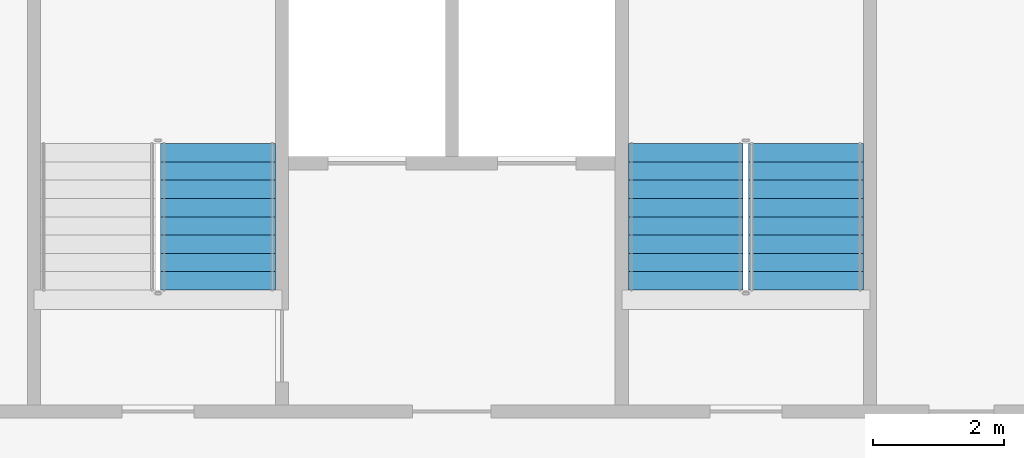
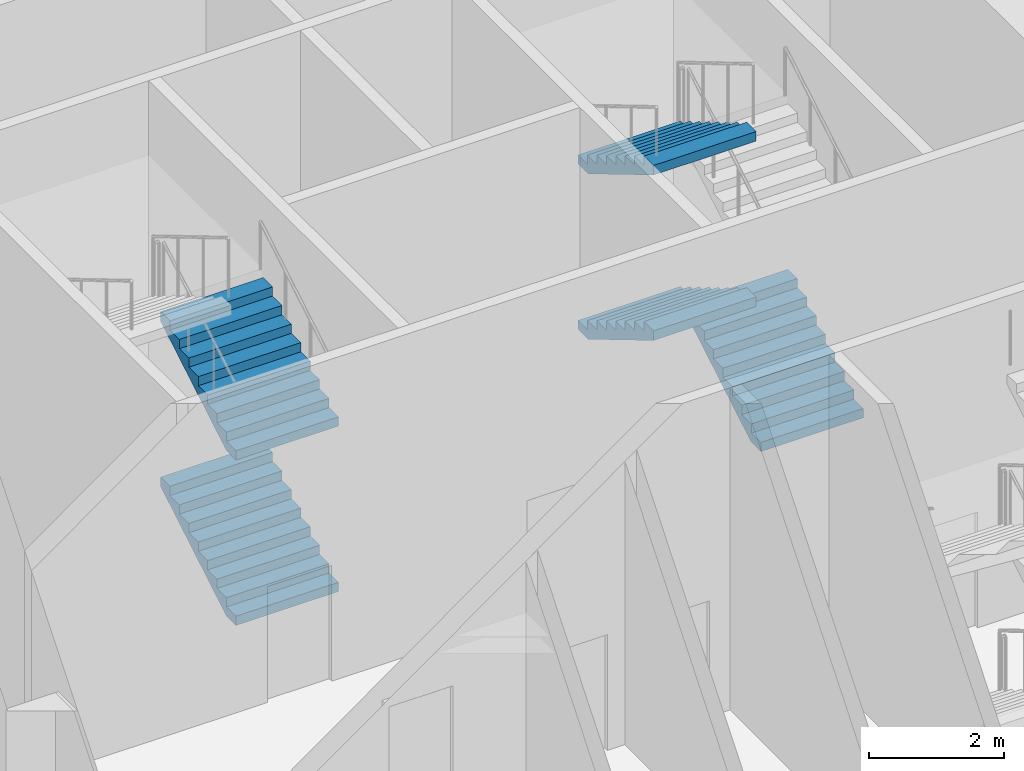
# One storey, part 33 of 48: 5 stair flights, 2 elements without a shape of their own.
"""IFC4 building model written with IfcOpenShell, lengths in metres."""

from ifc_helpers import new_model, si_unit, direction, frame, origin, place, context, subcontext, project, spatial, faceted_brep, material, type_object, element, aggregate, save


model = new_model("IFC4")

# Units and contexts
model_context = context("Model", 3, precision=1e-05, world=origin(), true_north=direction((0.0, 1.0)))
body_context = subcontext(model_context, "Body", "Model", "MODEL_VIEW")
ifc_project = project(units=[si_unit("LENGTHUNIT", "METRE"), si_unit("AREAUNIT", "SQUARE_METRE"), si_unit("VOLUMEUNIT", "CUBIC_METRE"), si_unit("PLANEANGLEUNIT", "RADIAN"), si_unit("MASSUNIT", "GRAM", prefix="KILO")], contexts=[model_context])

# Site, building, storey
site_placement = place(None, origin())
site = spatial("IfcSite", under=ifc_project, at=site_placement, CompositionType="ELEMENT")
building_placement = place(site_placement, origin())
building = spatial("IfcBuilding", under=site, at=building_placement, Name="Tarsis Ring Headquarters", CompositionType="ELEMENT")
storey_placement = place(building_placement, frame((0.0, 0.0, 34.0)))
storey = spatial("IfcBuildingStorey", under=building, at=storey_placement, Name="L06", CompositionType="ELEMENT", Elevation=34.0)

# Stair, stair flights
ifc_material_1 = material(Name="Core stair 1760")
stair_type = type_object("IfcStairType", Name="Core stair 1760", PredefinedType="HALF_TURN_STAIR", material=ifc_material_1)
stair_1_placement = place(storey_placement, origin())
stair_1 = element("IfcStair", 1, at=stair_1_placement, inside=storey, type_object=stair_type, Name="L06 Firefighting stair", PredefinedType="HALF_TURN_STAIR")
ifc_material_2 = material(Name="Concrete C40/50", Category="concrete")
stair_flight_type = type_object("IfcStairFlightType", Name="Core stair flight 1760", PredefinedType="STRAIGHT", material=ifc_material_2)
stair_flight_1_placement = place(storey_placement, frame((-3.580078125, 3.659912109375, 0.0), z_axis=(0.0, 0.0, 1.0), x_axis=(0.0, 1.0, 0.0)))
stair_flight_1 = element("IfcStairFlight", 2, at=stair_flight_1_placement, type_object=stair_flight_type, Name="Stair ST1 flight 1", NumberOfRisers=9, NumberOfTreads=8, PredefinedType="STRAIGHT", RiserHeight=0.166666667, TreadLength=0.28, context=body_context, shape_type="Brep", body=[
    faceted_brep([(0.0, 0.8798828125, 0.0), (0.0, 0.8798828125, 0.166748046875), (0.280029296875, 0.8798828125, 0.166748046875), (0.280029296875, 0.8798828125, 0.333251953125), (0.56005859375, 0.8798828125, 0.333251953125), (0.56005859375, 0.8798828125, 0.5), (0.840087890625, 0.8798828125, 0.5), (0.840087890625, 0.8798828125, 0.666748046875), (1.1201171875, 0.8798828125, 0.666748046875), (1.1201171875, 0.8798828125, 0.833251953125), (1.39990234375, 0.8798828125, 0.833251953125), (1.39990234375, 0.8798828125, 1.0), (1.679931640625, 0.8798828125, 1.0), (1.679931640625, 0.8798828125, 1.166748046875), (1.9599609375, 0.8798828125, 1.166748046875), (1.9599609375, 0.8798828125, 1.333251953125), (2.239990234375, 0.8798828125, 1.333251953125), (2.239990234375, 0.8798828125, 1.158935546875), (0.29296875, 0.8798828125, 0.0), (0.29296875, -0.8798828125, 0.0), (2.239990234375, -0.8798828125, 1.158935546875), (2.239990234375, -0.8798828125, 1.333251953125), (1.9599609375, -0.8798828125, 1.333251953125), (1.9599609375, -0.8798828125, 1.166748046875), (1.679931640625, -0.8798828125, 1.166748046875), (1.679931640625, -0.8798828125, 1.0), (1.39990234375, -0.8798828125, 1.0), (1.39990234375, -0.8798828125, 0.833251953125), (1.1201171875, -0.8798828125, 0.833251953125), (1.1201171875, -0.8798828125, 0.666748046875), (0.840087890625, -0.8798828125, 0.666748046875), (0.840087890625, -0.8798828125, 0.5), (0.56005859375, -0.8798828125, 0.5), (0.56005859375, -0.8798828125, 0.333251953125), (0.280029296875, -0.8798828125, 0.333251953125), (0.280029296875, -0.8798828125, 0.166748046875), (0.0, -0.8798828125, 0.166748046875), (0.0, -0.8798828125, 0.0), (0.0, -0.43994140625, 0.166748046875), (0.0, -0.43994140625, 0.0), (0.0, 0.0, 0.166748046875), (0.0, 0.0, 0.0), (0.0, 0.43994140625, 0.166748046875), (0.0, 0.43994140625, 0.0), (0.280029296875, -0.43994140625, 0.166748046875), (0.280029296875, 0.0, 0.166748046875), (0.280029296875, 0.43994140625, 0.166748046875), (0.280029296875, -0.43994140625, 0.333251953125), (0.280029296875, 0.0, 0.333251953125), (0.280029296875, 0.43994140625, 0.333251953125), (0.56005859375, -0.43994140625, 0.333251953125), (0.56005859375, 0.0, 0.333251953125), (0.56005859375, 0.43994140625, 0.333251953125), (0.56005859375, -0.43994140625, 0.5), (0.56005859375, 0.0, 0.5), (0.56005859375, 0.43994140625, 0.5), (0.840087890625, -0.43994140625, 0.5), (0.840087890625, 0.0, 0.5), (0.840087890625, 0.43994140625, 0.5), (0.840087890625, -0.43994140625, 0.666748046875), (0.840087890625, 0.0, 0.666748046875), (0.840087890625, 0.43994140625, 0.666748046875), (1.1201171875, -0.43994140625, 0.666748046875), (1.1201171875, 0.0, 0.666748046875), (1.1201171875, 0.43994140625, 0.666748046875), (1.1201171875, -0.43994140625, 0.833251953125), (1.1201171875, 0.0, 0.833251953125), (1.1201171875, 0.43994140625, 0.833251953125), (1.39990234375, -0.43994140625, 0.833251953125), (1.39990234375, 0.0, 0.833251953125), (1.39990234375, 0.43994140625, 0.833251953125), (1.39990234375, -0.43994140625, 1.0), (1.39990234375, 0.0, 1.0), (1.39990234375, 0.43994140625, 1.0), (1.679931640625, -0.43994140625, 1.0), (1.679931640625, 0.0, 1.0), (1.679931640625, 0.43994140625, 1.0), (1.679931640625, -0.43994140625, 1.166748046875), (1.679931640625, 0.0, 1.166748046875), (1.679931640625, 0.43994140625, 1.166748046875), (1.9599609375, -0.43994140625, 1.166748046875), (1.9599609375, 0.0, 1.166748046875), (1.9599609375, 0.43994140625, 1.166748046875), (1.9599609375, -0.43994140625, 1.333251953125), (1.9599609375, 0.0, 1.333251953125), (1.9599609375, 0.43994140625, 1.333251953125), (2.239990234375, -0.43994140625, 1.333251953125), (2.239990234375, 0.0, 1.333251953125), (2.239990234375, 0.43994140625, 1.333251953125), (2.239990234375, -0.43994140625, 1.158935546875), (2.239990234375, 0.0, 1.158935546875), (2.239990234375, 0.43994140625, 1.158935546875), (0.29296875, -0.43994140625, 0.0), (0.29296875, 0.0, 0.0), (0.29296875, 0.43994140625, 0.0)], [[[0, 1, 2, 3, 4, 5, 6, 7, 8, 9, 10, 11, 12, 13, 14, 15, 16, 17, 18]], [[19, 20, 21, 22, 23, 24, 25, 26, 27, 28, 29, 30, 31, 32, 33, 34, 35, 36, 37]], [[37, 36, 38, 39]], [[39, 38, 40, 41]], [[41, 40, 42, 43]], [[43, 42, 1, 0]], [[36, 35, 44, 38]], [[38, 44, 45, 40]], [[40, 45, 46, 42]], [[42, 46, 2, 1]], [[35, 34, 47, 44]], [[44, 47, 48, 45]], [[45, 48, 49, 46]], [[46, 49, 3, 2]], [[34, 33, 50, 47]], [[47, 50, 51, 48]], [[48, 51, 52, 49]], [[49, 52, 4, 3]], [[33, 32, 53, 50]], [[50, 53, 54, 51]], [[51, 54, 55, 52]], [[52, 55, 5, 4]], [[32, 31, 56, 53]], [[53, 56, 57, 54]], [[54, 57, 58, 55]], [[55, 58, 6, 5]], [[31, 30, 59, 56]], [[56, 59, 60, 57]], [[57, 60, 61, 58]], [[58, 61, 7, 6]], [[30, 29, 62, 59]], [[59, 62, 63, 60]], [[60, 63, 64, 61]], [[61, 64, 8, 7]], [[29, 28, 65, 62]], [[62, 65, 66, 63]], [[63, 66, 67, 64]], [[64, 67, 9, 8]], [[28, 27, 68, 65]], [[65, 68, 69, 66]], [[66, 69, 70, 67]], [[67, 70, 10, 9]], [[27, 26, 71, 68]], [[68, 71, 72, 69]], [[69, 72, 73, 70]], [[70, 73, 11, 10]], [[26, 25, 74, 71]], [[71, 74, 75, 72]], [[72, 75, 76, 73]], [[73, 76, 12, 11]], [[25, 24, 77, 74]], [[74, 77, 78, 75]], [[75, 78, 79, 76]], [[76, 79, 13, 12]], [[24, 23, 80, 77]], [[77, 80, 81, 78]], [[78, 81, 82, 79]], [[79, 82, 14, 13]], [[23, 22, 83, 80]], [[80, 83, 84, 81]], [[81, 84, 85, 82]], [[82, 85, 15, 14]], [[22, 21, 86, 83]], [[83, 86, 87, 84]], [[84, 87, 88, 85]], [[85, 88, 16, 15]], [[21, 20, 89, 86]], [[86, 89, 90, 87]], [[87, 90, 91, 88]], [[88, 91, 17, 16]], [[20, 19, 92, 89]], [[89, 92, 93, 90]], [[90, 93, 94, 91]], [[91, 94, 18, 17]], [[19, 37, 39, 92]], [[92, 39, 41, 93]], [[93, 41, 43, 94]], [[94, 43, 0, 18]]]),
])
stair_flight_2_placement = place(storey_placement, frame((-3.580078125, 3.659912109375, 3.0), z_axis=(0.0, 0.0, 1.0), x_axis=(0.0, 1.0, 0.0)))
stair_flight_2 = element("IfcStairFlight", 3, at=stair_flight_2_placement, type_object=stair_flight_type, Name="Stair ST1 flight 3", NumberOfRisers=9, NumberOfTreads=8, PredefinedType="STRAIGHT", RiserHeight=0.166666667, TreadLength=0.28, context=body_context, shape_type="Brep", body=[
    faceted_brep([(0.0, 0.8798828125, 0.0), (0.0, 0.8798828125, 0.166748046875), (0.280029296875, 0.8798828125, 0.166748046875), (0.280029296875, 0.8798828125, 0.333251953125), (0.56005859375, 0.8798828125, 0.333251953125), (0.56005859375, 0.8798828125, 0.5), (0.840087890625, 0.8798828125, 0.5), (0.840087890625, 0.8798828125, 0.666748046875), (1.1201171875, 0.8798828125, 0.666748046875), (1.1201171875, 0.8798828125, 0.833251953125), (1.39990234375, 0.8798828125, 0.833251953125), (1.39990234375, 0.8798828125, 1.0), (1.679931640625, 0.8798828125, 1.0), (1.679931640625, 0.8798828125, 1.166748046875), (1.9599609375, 0.8798828125, 1.166748046875), (1.9599609375, 0.8798828125, 1.333251953125), (2.239990234375, 0.8798828125, 1.333251953125), (2.239990234375, 0.8798828125, 1.158935546875), (0.29296875, 0.8798828125, 0.0), (0.29296875, -0.8798828125, 0.0), (2.239990234375, -0.8798828125, 1.158935546875), (2.239990234375, -0.8798828125, 1.333251953125), (1.9599609375, -0.8798828125, 1.333251953125), (1.9599609375, -0.8798828125, 1.166748046875), (1.679931640625, -0.8798828125, 1.166748046875), (1.679931640625, -0.8798828125, 1.0), (1.39990234375, -0.8798828125, 1.0), (1.39990234375, -0.8798828125, 0.833251953125), (1.1201171875, -0.8798828125, 0.833251953125), (1.1201171875, -0.8798828125, 0.666748046875), (0.840087890625, -0.8798828125, 0.666748046875), (0.840087890625, -0.8798828125, 0.5), (0.56005859375, -0.8798828125, 0.5), (0.56005859375, -0.8798828125, 0.333251953125), (0.280029296875, -0.8798828125, 0.333251953125), (0.280029296875, -0.8798828125, 0.166748046875), (0.0, -0.8798828125, 0.166748046875), (0.0, -0.8798828125, 0.0), (0.0, -0.43994140625, 0.166748046875), (0.0, -0.43994140625, 0.0), (0.0, 0.0, 0.166748046875), (0.0, 0.0, 0.0), (0.0, 0.43994140625, 0.166748046875), (0.0, 0.43994140625, 0.0), (0.280029296875, -0.43994140625, 0.166748046875), (0.280029296875, 0.0, 0.166748046875), (0.280029296875, 0.43994140625, 0.166748046875), (0.280029296875, -0.43994140625, 0.333251953125), (0.280029296875, 0.0, 0.333251953125), (0.280029296875, 0.43994140625, 0.333251953125), (0.56005859375, -0.43994140625, 0.333251953125), (0.56005859375, 0.0, 0.333251953125), (0.56005859375, 0.43994140625, 0.333251953125), (0.56005859375, -0.43994140625, 0.5), (0.56005859375, 0.0, 0.5), (0.56005859375, 0.43994140625, 0.5), (0.840087890625, -0.43994140625, 0.5), (0.840087890625, 0.0, 0.5), (0.840087890625, 0.43994140625, 0.5), (0.840087890625, -0.43994140625, 0.666748046875), (0.840087890625, 0.0, 0.666748046875), (0.840087890625, 0.43994140625, 0.666748046875), (1.1201171875, -0.43994140625, 0.666748046875), (1.1201171875, 0.0, 0.666748046875), (1.1201171875, 0.43994140625, 0.666748046875), (1.1201171875, -0.43994140625, 0.833251953125), (1.1201171875, 0.0, 0.833251953125), (1.1201171875, 0.43994140625, 0.833251953125), (1.39990234375, -0.43994140625, 0.833251953125), (1.39990234375, 0.0, 0.833251953125), (1.39990234375, 0.43994140625, 0.833251953125), (1.39990234375, -0.43994140625, 1.0), (1.39990234375, 0.0, 1.0), (1.39990234375, 0.43994140625, 1.0), (1.679931640625, -0.43994140625, 1.0), (1.679931640625, 0.0, 1.0), (1.679931640625, 0.43994140625, 1.0), (1.679931640625, -0.43994140625, 1.166748046875), (1.679931640625, 0.0, 1.166748046875), (1.679931640625, 0.43994140625, 1.166748046875), (1.9599609375, -0.43994140625, 1.166748046875), (1.9599609375, 0.0, 1.166748046875), (1.9599609375, 0.43994140625, 1.166748046875), (1.9599609375, -0.43994140625, 1.333251953125), (1.9599609375, 0.0, 1.333251953125), (1.9599609375, 0.43994140625, 1.333251953125), (2.239990234375, -0.43994140625, 1.333251953125), (2.239990234375, 0.0, 1.333251953125), (2.239990234375, 0.43994140625, 1.333251953125), (2.239990234375, -0.43994140625, 1.158935546875), (2.239990234375, 0.0, 1.158935546875), (2.239990234375, 0.43994140625, 1.158935546875), (0.29296875, -0.43994140625, 0.0), (0.29296875, 0.0, 0.0), (0.29296875, 0.43994140625, 0.0)], [[[0, 1, 2, 3, 4, 5, 6, 7, 8, 9, 10, 11, 12, 13, 14, 15, 16, 17, 18]], [[19, 20, 21, 22, 23, 24, 25, 26, 27, 28, 29, 30, 31, 32, 33, 34, 35, 36, 37]], [[37, 36, 38, 39]], [[39, 38, 40, 41]], [[41, 40, 42, 43]], [[43, 42, 1, 0]], [[36, 35, 44, 38]], [[38, 44, 45, 40]], [[40, 45, 46, 42]], [[42, 46, 2, 1]], [[35, 34, 47, 44]], [[44, 47, 48, 45]], [[45, 48, 49, 46]], [[46, 49, 3, 2]], [[34, 33, 50, 47]], [[47, 50, 51, 48]], [[48, 51, 52, 49]], [[49, 52, 4, 3]], [[33, 32, 53, 50]], [[50, 53, 54, 51]], [[51, 54, 55, 52]], [[52, 55, 5, 4]], [[32, 31, 56, 53]], [[53, 56, 57, 54]], [[54, 57, 58, 55]], [[55, 58, 6, 5]], [[31, 30, 59, 56]], [[56, 59, 60, 57]], [[57, 60, 61, 58]], [[58, 61, 7, 6]], [[30, 29, 62, 59]], [[59, 62, 63, 60]], [[60, 63, 64, 61]], [[61, 64, 8, 7]], [[29, 28, 65, 62]], [[62, 65, 66, 63]], [[63, 66, 67, 64]], [[64, 67, 9, 8]], [[28, 27, 68, 65]], [[65, 68, 69, 66]], [[66, 69, 70, 67]], [[67, 70, 10, 9]], [[27, 26, 71, 68]], [[68, 71, 72, 69]], [[69, 72, 73, 70]], [[70, 73, 11, 10]], [[26, 25, 74, 71]], [[71, 74, 75, 72]], [[72, 75, 76, 73]], [[73, 76, 12, 11]], [[25, 24, 77, 74]], [[74, 77, 78, 75]], [[75, 78, 79, 76]], [[76, 79, 13, 12]], [[24, 23, 80, 77]], [[77, 80, 81, 78]], [[78, 81, 82, 79]], [[79, 82, 14, 13]], [[23, 22, 83, 80]], [[80, 83, 84, 81]], [[81, 84, 85, 82]], [[82, 85, 15, 14]], [[22, 21, 86, 83]], [[83, 86, 87, 84]], [[84, 87, 88, 85]], [[85, 88, 16, 15]], [[21, 20, 89, 86]], [[86, 89, 90, 87]], [[87, 90, 91, 88]], [[88, 91, 17, 16]], [[20, 19, 92, 89]], [[89, 92, 93, 90]], [[90, 93, 94, 91]], [[91, 94, 18, 17]], [[19, 37, 39, 92]], [[92, 39, 41, 93]], [[93, 41, 43, 94]], [[94, 43, 0, 18]]]),
])
aggregate(stair_1, [stair_flight_1, stair_flight_2])

stair_2_placement = place(storey_placement, origin())
stair_2 = element("IfcStair", 4, at=stair_2_placement, inside=storey, type_object=stair_type, Name="L06 Exit stair B", PredefinedType="HALF_TURN_STAIR")
stair_flight_3_placement = place(storey_placement, frame((5.419921875, 3.659912109375, 0.0), z_axis=(0.0, 0.0, 1.0), x_axis=(0.0, 1.0, 0.0)))
stair_flight_3 = element("IfcStairFlight", 5, at=stair_flight_3_placement, type_object=stair_flight_type, Name="Stair ST2 flight 1", NumberOfRisers=9, NumberOfTreads=8, PredefinedType="STRAIGHT", RiserHeight=0.166666667, TreadLength=0.28, context=body_context, shape_type="Brep", body=[
    faceted_brep([(0.0, 0.8798828125, 0.0), (0.0, 0.8798828125, 0.166748046875), (0.280029296875, 0.8798828125, 0.166748046875), (0.280029296875, 0.8798828125, 0.333251953125), (0.56005859375, 0.8798828125, 0.333251953125), (0.56005859375, 0.8798828125, 0.5), (0.840087890625, 0.8798828125, 0.5), (0.840087890625, 0.8798828125, 0.666748046875), (1.1201171875, 0.8798828125, 0.666748046875), (1.1201171875, 0.8798828125, 0.833251953125), (1.39990234375, 0.8798828125, 0.833251953125), (1.39990234375, 0.8798828125, 1.0), (1.679931640625, 0.8798828125, 1.0), (1.679931640625, 0.8798828125, 1.166748046875), (1.9599609375, 0.8798828125, 1.166748046875), (1.9599609375, 0.8798828125, 1.333251953125), (2.239990234375, 0.8798828125, 1.333251953125), (2.239990234375, 0.8798828125, 1.158935546875), (0.29296875, 0.8798828125, 0.0), (0.29296875, -0.8798828125, 0.0), (2.239990234375, -0.8798828125, 1.158935546875), (2.239990234375, -0.8798828125, 1.333251953125), (1.9599609375, -0.8798828125, 1.333251953125), (1.9599609375, -0.8798828125, 1.166748046875), (1.679931640625, -0.8798828125, 1.166748046875), (1.679931640625, -0.8798828125, 1.0), (1.39990234375, -0.8798828125, 1.0), (1.39990234375, -0.8798828125, 0.833251953125), (1.1201171875, -0.8798828125, 0.833251953125), (1.1201171875, -0.8798828125, 0.666748046875), (0.840087890625, -0.8798828125, 0.666748046875), (0.840087890625, -0.8798828125, 0.5), (0.56005859375, -0.8798828125, 0.5), (0.56005859375, -0.8798828125, 0.333251953125), (0.280029296875, -0.8798828125, 0.333251953125), (0.280029296875, -0.8798828125, 0.166748046875), (0.0, -0.8798828125, 0.166748046875), (0.0, -0.8798828125, 0.0), (0.0, -0.43994140625, 0.166748046875), (0.0, -0.43994140625, 0.0), (0.0, 0.0, 0.166748046875), (0.0, 0.0, 0.0), (0.0, 0.43994140625, 0.166748046875), (0.0, 0.43994140625, 0.0), (0.280029296875, -0.43994140625, 0.166748046875), (0.280029296875, 0.0, 0.166748046875), (0.280029296875, 0.43994140625, 0.166748046875), (0.280029296875, -0.43994140625, 0.333251953125), (0.280029296875, 0.0, 0.333251953125), (0.280029296875, 0.43994140625, 0.333251953125), (0.56005859375, -0.43994140625, 0.333251953125), (0.56005859375, 0.0, 0.333251953125), (0.56005859375, 0.43994140625, 0.333251953125), (0.56005859375, -0.43994140625, 0.5), (0.56005859375, 0.0, 0.5), (0.56005859375, 0.43994140625, 0.5), (0.840087890625, -0.43994140625, 0.5), (0.840087890625, 0.0, 0.5), (0.840087890625, 0.43994140625, 0.5), (0.840087890625, -0.43994140625, 0.666748046875), (0.840087890625, 0.0, 0.666748046875), (0.840087890625, 0.43994140625, 0.666748046875), (1.1201171875, -0.43994140625, 0.666748046875), (1.1201171875, 0.0, 0.666748046875), (1.1201171875, 0.43994140625, 0.666748046875), (1.1201171875, -0.43994140625, 0.833251953125), (1.1201171875, 0.0, 0.833251953125), (1.1201171875, 0.43994140625, 0.833251953125), (1.39990234375, -0.43994140625, 0.833251953125), (1.39990234375, 0.0, 0.833251953125), (1.39990234375, 0.43994140625, 0.833251953125), (1.39990234375, -0.43994140625, 1.0), (1.39990234375, 0.0, 1.0), (1.39990234375, 0.43994140625, 1.0), (1.679931640625, -0.43994140625, 1.0), (1.679931640625, 0.0, 1.0), (1.679931640625, 0.43994140625, 1.0), (1.679931640625, -0.43994140625, 1.166748046875), (1.679931640625, 0.0, 1.166748046875), (1.679931640625, 0.43994140625, 1.166748046875), (1.9599609375, -0.43994140625, 1.166748046875), (1.9599609375, 0.0, 1.166748046875), (1.9599609375, 0.43994140625, 1.166748046875), (1.9599609375, -0.43994140625, 1.333251953125), (1.9599609375, 0.0, 1.333251953125), (1.9599609375, 0.43994140625, 1.333251953125), (2.239990234375, -0.43994140625, 1.333251953125), (2.239990234375, 0.0, 1.333251953125), (2.239990234375, 0.43994140625, 1.333251953125), (2.239990234375, -0.43994140625, 1.158935546875), (2.239990234375, 0.0, 1.158935546875), (2.239990234375, 0.43994140625, 1.158935546875), (0.29296875, -0.43994140625, 0.0), (0.29296875, 0.0, 0.0), (0.29296875, 0.43994140625, 0.0)], [[[0, 1, 2, 3, 4, 5, 6, 7, 8, 9, 10, 11, 12, 13, 14, 15, 16, 17, 18]], [[19, 20, 21, 22, 23, 24, 25, 26, 27, 28, 29, 30, 31, 32, 33, 34, 35, 36, 37]], [[37, 36, 38, 39]], [[39, 38, 40, 41]], [[41, 40, 42, 43]], [[43, 42, 1, 0]], [[36, 35, 44, 38]], [[38, 44, 45, 40]], [[40, 45, 46, 42]], [[42, 46, 2, 1]], [[35, 34, 47, 44]], [[44, 47, 48, 45]], [[45, 48, 49, 46]], [[46, 49, 3, 2]], [[34, 33, 50, 47]], [[47, 50, 51, 48]], [[48, 51, 52, 49]], [[49, 52, 4, 3]], [[33, 32, 53, 50]], [[50, 53, 54, 51]], [[51, 54, 55, 52]], [[52, 55, 5, 4]], [[32, 31, 56, 53]], [[53, 56, 57, 54]], [[54, 57, 58, 55]], [[55, 58, 6, 5]], [[31, 30, 59, 56]], [[56, 59, 60, 57]], [[57, 60, 61, 58]], [[58, 61, 7, 6]], [[30, 29, 62, 59]], [[59, 62, 63, 60]], [[60, 63, 64, 61]], [[61, 64, 8, 7]], [[29, 28, 65, 62]], [[62, 65, 66, 63]], [[63, 66, 67, 64]], [[64, 67, 9, 8]], [[28, 27, 68, 65]], [[65, 68, 69, 66]], [[66, 69, 70, 67]], [[67, 70, 10, 9]], [[27, 26, 71, 68]], [[68, 71, 72, 69]], [[69, 72, 73, 70]], [[70, 73, 11, 10]], [[26, 25, 74, 71]], [[71, 74, 75, 72]], [[72, 75, 76, 73]], [[73, 76, 12, 11]], [[25, 24, 77, 74]], [[74, 77, 78, 75]], [[75, 78, 79, 76]], [[76, 79, 13, 12]], [[24, 23, 80, 77]], [[77, 80, 81, 78]], [[78, 81, 82, 79]], [[79, 82, 14, 13]], [[23, 22, 83, 80]], [[80, 83, 84, 81]], [[81, 84, 85, 82]], [[82, 85, 15, 14]], [[22, 21, 86, 83]], [[83, 86, 87, 84]], [[84, 87, 88, 85]], [[85, 88, 16, 15]], [[21, 20, 89, 86]], [[86, 89, 90, 87]], [[87, 90, 91, 88]], [[88, 91, 17, 16]], [[20, 19, 92, 89]], [[89, 92, 93, 90]], [[90, 93, 94, 91]], [[91, 94, 18, 17]], [[19, 37, 39, 92]], [[92, 39, 41, 93]], [[93, 41, 43, 94]], [[94, 43, 0, 18]]]),
])
stair_flight_4_placement = place(storey_placement, frame((3.580078125, 5.89990234375, 1.5), z_axis=(0.0, 0.0, 1.0), x_axis=(0.0, -1.0, 0.0)))
stair_flight_4 = element("IfcStairFlight", 6, at=stair_flight_4_placement, type_object=stair_flight_type, Name="Stair ST2 flight 2", NumberOfRisers=9, NumberOfTreads=8, PredefinedType="STRAIGHT", RiserHeight=0.166666667, TreadLength=0.28, context=body_context, shape_type="Brep", body=[
    faceted_brep([(0.0, 0.8798828125, 0.0), (0.0, 0.8798828125, 0.166748046875), (0.280029296875, 0.8798828125, 0.166748046875), (0.280029296875, 0.8798828125, 0.333251953125), (0.56005859375, 0.8798828125, 0.333251953125), (0.56005859375, 0.8798828125, 0.5), (0.840087890625, 0.8798828125, 0.5), (0.840087890625, 0.8798828125, 0.666748046875), (1.1201171875, 0.8798828125, 0.666748046875), (1.1201171875, 0.8798828125, 0.833251953125), (1.39990234375, 0.8798828125, 0.833251953125), (1.39990234375, 0.8798828125, 1.0), (1.679931640625, 0.8798828125, 1.0), (1.679931640625, 0.8798828125, 1.166748046875), (1.9599609375, 0.8798828125, 1.166748046875), (1.9599609375, 0.8798828125, 1.333251953125), (2.239990234375, 0.8798828125, 1.333251953125), (2.239990234375, 0.8798828125, 1.158935546875), (0.29296875, 0.8798828125, 0.0), (0.29296875, -0.8798828125, 0.0), (2.239990234375, -0.8798828125, 1.158935546875), (2.239990234375, -0.8798828125, 1.333251953125), (1.9599609375, -0.8798828125, 1.333251953125), (1.9599609375, -0.8798828125, 1.166748046875), (1.679931640625, -0.8798828125, 1.166748046875), (1.679931640625, -0.8798828125, 1.0), (1.39990234375, -0.8798828125, 1.0), (1.39990234375, -0.8798828125, 0.833251953125), (1.1201171875, -0.8798828125, 0.833251953125), (1.1201171875, -0.8798828125, 0.666748046875), (0.840087890625, -0.8798828125, 0.666748046875), (0.840087890625, -0.8798828125, 0.5), (0.56005859375, -0.8798828125, 0.5), (0.56005859375, -0.8798828125, 0.333251953125), (0.280029296875, -0.8798828125, 0.333251953125), (0.280029296875, -0.8798828125, 0.166748046875), (0.0, -0.8798828125, 0.166748046875), (0.0, -0.8798828125, 0.0), (0.0, -0.43994140625, 0.166748046875), (0.0, -0.43994140625, 0.0), (0.0, 0.0, 0.166748046875), (0.0, 0.0, 0.0), (0.0, 0.43994140625, 0.166748046875), (0.0, 0.43994140625, 0.0), (0.280029296875, -0.43994140625, 0.166748046875), (0.280029296875, 0.0, 0.166748046875), (0.280029296875, 0.43994140625, 0.166748046875), (0.280029296875, -0.43994140625, 0.333251953125), (0.280029296875, 0.0, 0.333251953125), (0.280029296875, 0.43994140625, 0.333251953125), (0.56005859375, -0.43994140625, 0.333251953125), (0.56005859375, 0.0, 0.333251953125), (0.56005859375, 0.43994140625, 0.333251953125), (0.56005859375, -0.43994140625, 0.5), (0.56005859375, 0.0, 0.5), (0.56005859375, 0.43994140625, 0.5), (0.840087890625, -0.43994140625, 0.5), (0.840087890625, 0.0, 0.5), (0.840087890625, 0.43994140625, 0.5), (0.840087890625, -0.43994140625, 0.666748046875), (0.840087890625, 0.0, 0.666748046875), (0.840087890625, 0.43994140625, 0.666748046875), (1.1201171875, -0.43994140625, 0.666748046875), (1.1201171875, 0.0, 0.666748046875), (1.1201171875, 0.43994140625, 0.666748046875), (1.1201171875, -0.43994140625, 0.833251953125), (1.1201171875, 0.0, 0.833251953125), (1.1201171875, 0.43994140625, 0.833251953125), (1.39990234375, -0.43994140625, 0.833251953125), (1.39990234375, 0.0, 0.833251953125), (1.39990234375, 0.43994140625, 0.833251953125), (1.39990234375, -0.43994140625, 1.0), (1.39990234375, 0.0, 1.0), (1.39990234375, 0.43994140625, 1.0), (1.679931640625, -0.43994140625, 1.0), (1.679931640625, 0.0, 1.0), (1.679931640625, 0.43994140625, 1.0), (1.679931640625, -0.43994140625, 1.166748046875), (1.679931640625, 0.0, 1.166748046875), (1.679931640625, 0.43994140625, 1.166748046875), (1.9599609375, -0.43994140625, 1.166748046875), (1.9599609375, 0.0, 1.166748046875), (1.9599609375, 0.43994140625, 1.166748046875), (1.9599609375, -0.43994140625, 1.333251953125), (1.9599609375, 0.0, 1.333251953125), (1.9599609375, 0.43994140625, 1.333251953125), (2.239990234375, -0.43994140625, 1.333251953125), (2.239990234375, 0.0, 1.333251953125), (2.239990234375, 0.43994140625, 1.333251953125), (2.239990234375, -0.43994140625, 1.158935546875), (2.239990234375, 0.0, 1.158935546875), (2.239990234375, 0.43994140625, 1.158935546875), (0.29296875, -0.43994140625, 0.0), (0.29296875, 0.0, 0.0), (0.29296875, 0.43994140625, 0.0)], [[[0, 1, 2, 3, 4, 5, 6, 7, 8, 9, 10, 11, 12, 13, 14, 15, 16, 17, 18]], [[19, 20, 21, 22, 23, 24, 25, 26, 27, 28, 29, 30, 31, 32, 33, 34, 35, 36, 37]], [[37, 36, 38, 39]], [[39, 38, 40, 41]], [[41, 40, 42, 43]], [[43, 42, 1, 0]], [[36, 35, 44, 38]], [[38, 44, 45, 40]], [[40, 45, 46, 42]], [[42, 46, 2, 1]], [[35, 34, 47, 44]], [[44, 47, 48, 45]], [[45, 48, 49, 46]], [[46, 49, 3, 2]], [[34, 33, 50, 47]], [[47, 50, 51, 48]], [[48, 51, 52, 49]], [[49, 52, 4, 3]], [[33, 32, 53, 50]], [[50, 53, 54, 51]], [[51, 54, 55, 52]], [[52, 55, 5, 4]], [[32, 31, 56, 53]], [[53, 56, 57, 54]], [[54, 57, 58, 55]], [[55, 58, 6, 5]], [[31, 30, 59, 56]], [[56, 59, 60, 57]], [[57, 60, 61, 58]], [[58, 61, 7, 6]], [[30, 29, 62, 59]], [[59, 62, 63, 60]], [[60, 63, 64, 61]], [[61, 64, 8, 7]], [[29, 28, 65, 62]], [[62, 65, 66, 63]], [[63, 66, 67, 64]], [[64, 67, 9, 8]], [[28, 27, 68, 65]], [[65, 68, 69, 66]], [[66, 69, 70, 67]], [[67, 70, 10, 9]], [[27, 26, 71, 68]], [[68, 71, 72, 69]], [[69, 72, 73, 70]], [[70, 73, 11, 10]], [[26, 25, 74, 71]], [[71, 74, 75, 72]], [[72, 75, 76, 73]], [[73, 76, 12, 11]], [[25, 24, 77, 74]], [[74, 77, 78, 75]], [[75, 78, 79, 76]], [[76, 79, 13, 12]], [[24, 23, 80, 77]], [[77, 80, 81, 78]], [[78, 81, 82, 79]], [[79, 82, 14, 13]], [[23, 22, 83, 80]], [[80, 83, 84, 81]], [[81, 84, 85, 82]], [[82, 85, 15, 14]], [[22, 21, 86, 83]], [[83, 86, 87, 84]], [[84, 87, 88, 85]], [[85, 88, 16, 15]], [[21, 20, 89, 86]], [[86, 89, 90, 87]], [[87, 90, 91, 88]], [[88, 91, 17, 16]], [[20, 19, 92, 89]], [[89, 92, 93, 90]], [[90, 93, 94, 91]], [[91, 94, 18, 17]], [[19, 37, 39, 92]], [[92, 39, 41, 93]], [[93, 41, 43, 94]], [[94, 43, 0, 18]]]),
])
stair_flight_5_placement = place(storey_placement, frame((3.580078125, 5.89990234375, 4.5), z_axis=(0.0, 0.0, 1.0), x_axis=(0.0, -1.0, 0.0)))
stair_flight_5 = element("IfcStairFlight", 7, at=stair_flight_5_placement, type_object=stair_flight_type, Name="Stair ST2 flight 4", NumberOfRisers=9, NumberOfTreads=8, PredefinedType="STRAIGHT", RiserHeight=0.166666667, TreadLength=0.28, context=body_context, shape_type="Brep", body=[
    faceted_brep([(0.0, 0.8798828125, 0.0), (0.0, 0.8798828125, 0.166748046875), (0.280029296875, 0.8798828125, 0.166748046875), (0.280029296875, 0.8798828125, 0.333251953125), (0.56005859375, 0.8798828125, 0.333251953125), (0.56005859375, 0.8798828125, 0.5), (0.840087890625, 0.8798828125, 0.5), (0.840087890625, 0.8798828125, 0.666748046875), (1.1201171875, 0.8798828125, 0.666748046875), (1.1201171875, 0.8798828125, 0.833251953125), (1.39990234375, 0.8798828125, 0.833251953125), (1.39990234375, 0.8798828125, 1.0), (1.679931640625, 0.8798828125, 1.0), (1.679931640625, 0.8798828125, 1.166748046875), (1.9599609375, 0.8798828125, 1.166748046875), (1.9599609375, 0.8798828125, 1.333251953125), (2.239990234375, 0.8798828125, 1.333251953125), (2.239990234375, 0.8798828125, 1.158935546875), (0.29296875, 0.8798828125, 0.0), (0.29296875, -0.8798828125, 0.0), (2.239990234375, -0.8798828125, 1.158935546875), (2.239990234375, -0.8798828125, 1.333251953125), (1.9599609375, -0.8798828125, 1.333251953125), (1.9599609375, -0.8798828125, 1.166748046875), (1.679931640625, -0.8798828125, 1.166748046875), (1.679931640625, -0.8798828125, 1.0), (1.39990234375, -0.8798828125, 1.0), (1.39990234375, -0.8798828125, 0.833251953125), (1.1201171875, -0.8798828125, 0.833251953125), (1.1201171875, -0.8798828125, 0.666748046875), (0.840087890625, -0.8798828125, 0.666748046875), (0.840087890625, -0.8798828125, 0.5), (0.56005859375, -0.8798828125, 0.5), (0.56005859375, -0.8798828125, 0.333251953125), (0.280029296875, -0.8798828125, 0.333251953125), (0.280029296875, -0.8798828125, 0.166748046875), (0.0, -0.8798828125, 0.166748046875), (0.0, -0.8798828125, 0.0), (0.0, -0.43994140625, 0.166748046875), (0.0, -0.43994140625, 0.0), (0.0, 0.0, 0.166748046875), (0.0, 0.0, 0.0), (0.0, 0.43994140625, 0.166748046875), (0.0, 0.43994140625, 0.0), (0.280029296875, -0.43994140625, 0.166748046875), (0.280029296875, 0.0, 0.166748046875), (0.280029296875, 0.43994140625, 0.166748046875), (0.280029296875, -0.43994140625, 0.333251953125), (0.280029296875, 0.0, 0.333251953125), (0.280029296875, 0.43994140625, 0.333251953125), (0.56005859375, -0.43994140625, 0.333251953125), (0.56005859375, 0.0, 0.333251953125), (0.56005859375, 0.43994140625, 0.333251953125), (0.56005859375, -0.43994140625, 0.5), (0.56005859375, 0.0, 0.5), (0.56005859375, 0.43994140625, 0.5), (0.840087890625, -0.43994140625, 0.5), (0.840087890625, 0.0, 0.5), (0.840087890625, 0.43994140625, 0.5), (0.840087890625, -0.43994140625, 0.666748046875), (0.840087890625, 0.0, 0.666748046875), (0.840087890625, 0.43994140625, 0.666748046875), (1.1201171875, -0.43994140625, 0.666748046875), (1.1201171875, 0.0, 0.666748046875), (1.1201171875, 0.43994140625, 0.666748046875), (1.1201171875, -0.43994140625, 0.833251953125), (1.1201171875, 0.0, 0.833251953125), (1.1201171875, 0.43994140625, 0.833251953125), (1.39990234375, -0.43994140625, 0.833251953125), (1.39990234375, 0.0, 0.833251953125), (1.39990234375, 0.43994140625, 0.833251953125), (1.39990234375, -0.43994140625, 1.0), (1.39990234375, 0.0, 1.0), (1.39990234375, 0.43994140625, 1.0), (1.679931640625, -0.43994140625, 1.0), (1.679931640625, 0.0, 1.0), (1.679931640625, 0.43994140625, 1.0), (1.679931640625, -0.43994140625, 1.166748046875), (1.679931640625, 0.0, 1.166748046875), (1.679931640625, 0.43994140625, 1.166748046875), (1.9599609375, -0.43994140625, 1.166748046875), (1.9599609375, 0.0, 1.166748046875), (1.9599609375, 0.43994140625, 1.166748046875), (1.9599609375, -0.43994140625, 1.333251953125), (1.9599609375, 0.0, 1.333251953125), (1.9599609375, 0.43994140625, 1.333251953125), (2.239990234375, -0.43994140625, 1.333251953125), (2.239990234375, 0.0, 1.333251953125), (2.239990234375, 0.43994140625, 1.333251953125), (2.239990234375, -0.43994140625, 1.158935546875), (2.239990234375, 0.0, 1.158935546875), (2.239990234375, 0.43994140625, 1.158935546875), (0.29296875, -0.43994140625, 0.0), (0.29296875, 0.0, 0.0), (0.29296875, 0.43994140625, 0.0)], [[[0, 1, 2, 3, 4, 5, 6, 7, 8, 9, 10, 11, 12, 13, 14, 15, 16, 17, 18]], [[19, 20, 21, 22, 23, 24, 25, 26, 27, 28, 29, 30, 31, 32, 33, 34, 35, 36, 37]], [[37, 36, 38, 39]], [[39, 38, 40, 41]], [[41, 40, 42, 43]], [[43, 42, 1, 0]], [[36, 35, 44, 38]], [[38, 44, 45, 40]], [[40, 45, 46, 42]], [[42, 46, 2, 1]], [[35, 34, 47, 44]], [[44, 47, 48, 45]], [[45, 48, 49, 46]], [[46, 49, 3, 2]], [[34, 33, 50, 47]], [[47, 50, 51, 48]], [[48, 51, 52, 49]], [[49, 52, 4, 3]], [[33, 32, 53, 50]], [[50, 53, 54, 51]], [[51, 54, 55, 52]], [[52, 55, 5, 4]], [[32, 31, 56, 53]], [[53, 56, 57, 54]], [[54, 57, 58, 55]], [[55, 58, 6, 5]], [[31, 30, 59, 56]], [[56, 59, 60, 57]], [[57, 60, 61, 58]], [[58, 61, 7, 6]], [[30, 29, 62, 59]], [[59, 62, 63, 60]], [[60, 63, 64, 61]], [[61, 64, 8, 7]], [[29, 28, 65, 62]], [[62, 65, 66, 63]], [[63, 66, 67, 64]], [[64, 67, 9, 8]], [[28, 27, 68, 65]], [[65, 68, 69, 66]], [[66, 69, 70, 67]], [[67, 70, 10, 9]], [[27, 26, 71, 68]], [[68, 71, 72, 69]], [[69, 72, 73, 70]], [[70, 73, 11, 10]], [[26, 25, 74, 71]], [[71, 74, 75, 72]], [[72, 75, 76, 73]], [[73, 76, 12, 11]], [[25, 24, 77, 74]], [[74, 77, 78, 75]], [[75, 78, 79, 76]], [[76, 79, 13, 12]], [[24, 23, 80, 77]], [[77, 80, 81, 78]], [[78, 81, 82, 79]], [[79, 82, 14, 13]], [[23, 22, 83, 80]], [[80, 83, 84, 81]], [[81, 84, 85, 82]], [[82, 85, 15, 14]], [[22, 21, 86, 83]], [[83, 86, 87, 84]], [[84, 87, 88, 85]], [[85, 88, 16, 15]], [[21, 20, 89, 86]], [[86, 89, 90, 87]], [[87, 90, 91, 88]], [[88, 91, 17, 16]], [[20, 19, 92, 89]], [[89, 92, 93, 90]], [[90, 93, 94, 91]], [[91, 94, 18, 17]], [[19, 37, 39, 92]], [[92, 39, 41, 93]], [[93, 41, 43, 94]], [[94, 43, 0, 18]]]),
])
aggregate(stair_2, [stair_flight_3, stair_flight_4, stair_flight_5])

save(model, "model.ifc")
